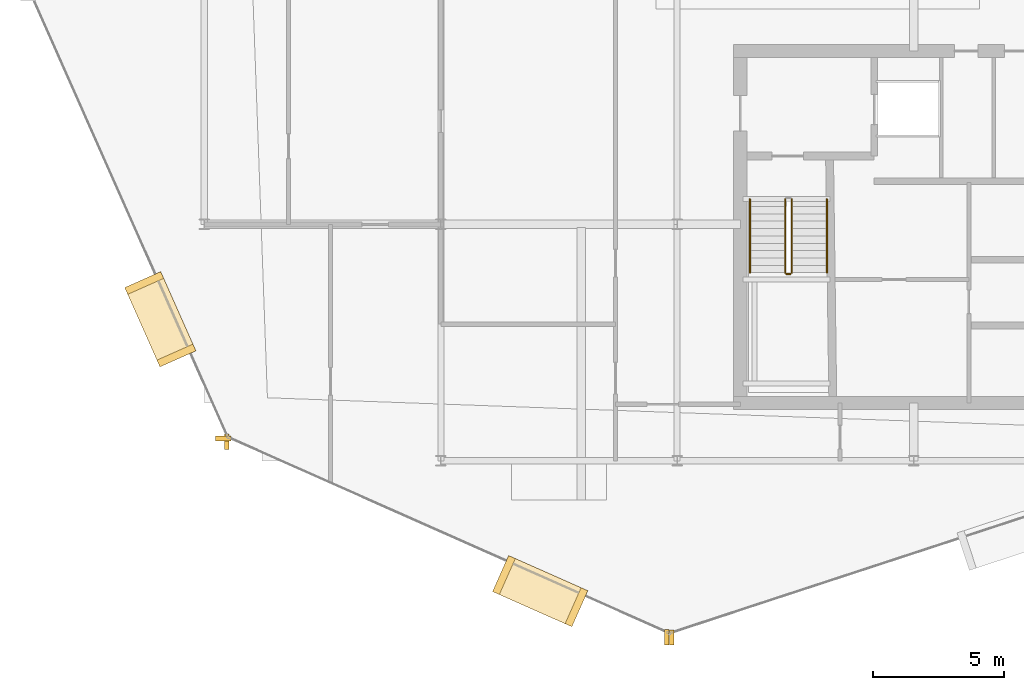
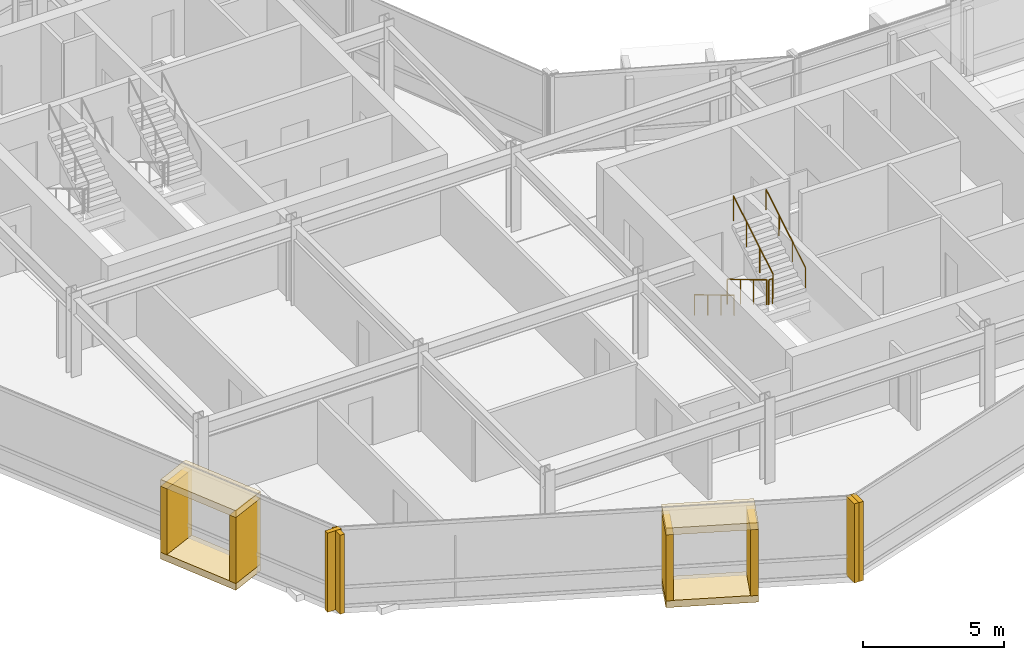
# One storey, part 23 of 28: 12 coverings, 5 railings.
"""IFC4 building model written with IfcOpenShell, lengths in metres."""

from ifc_helpers import new_model, si_unit, direction, frame, origin, origin_2d, place, context, subcontext, project, spatial, rectangle, circle, extrude, material, layer, layer_set, type_object, element, save


model = new_model("IFC4")

# Units and contexts
model_context = context("Model", 3, precision=1e-05, world=origin(), true_north=direction((0.0, 1.0)))
body_context = subcontext(model_context, "Body", "Model", "MODEL_VIEW")
ifc_project = project(units=[si_unit("LENGTHUNIT", "METRE"), si_unit("AREAUNIT", "SQUARE_METRE"), si_unit("VOLUMEUNIT", "CUBIC_METRE"), si_unit("PLANEANGLEUNIT", "RADIAN"), si_unit("MASSUNIT", "GRAM", prefix="KILO")], contexts=[model_context])

# Site, building, storey
site_placement = place(None, origin())
site = spatial("IfcSite", under=ifc_project, at=site_placement, CompositionType="ELEMENT")
building_placement = place(site_placement, origin())
building = spatial("IfcBuilding", under=site, at=building_placement, Name="Solvaryn Broadcast Tower", CompositionType="ELEMENT")
storey_placement = place(building_placement, frame((0.0, 0.0, 206.199951171875)))
storey = spatial("IfcBuildingStorey", under=building, at=storey_placement, Name="L51", CompositionType="ELEMENT", Elevation=206.199951171875)

# Coverings
ifc_material_1 = material(Name="Glazed Architectural Terracotta Rainscreen Cladding", Category="masonry")
ifc_layer_1 = layer(ifc_material_1, 0.280029296875)
ifc_layer_set_1 = layer_set([ifc_layer_1], Name="CV-TC-CLAD")
covering_type_1 = type_object("IfcCoveringType", Name="CV-TC-CLAD", PredefinedType="CLADDING", material=ifc_layer_set_1)
for number, where, z_axis, x_axis, name in (
    (1, (7.322998046875, 14.388916015625, 3.1298828125), (0.0, 0.0, 1.0), (0.405939269498, -0.913900054426, 0.0), "L51 Projecting Stone Window Box Hood 2"),
    (2, (7.322998046875, 14.388916015625, -0.009765625), (0.0, 0.0, 1.0), (0.405939269498, -0.913900054426, 0.0), "L51 Projecting Stone Window Box Sill 2"),
):
    element("IfcCovering", number, at=place(storey_placement, frame(where, z_axis=z_axis, x_axis=x_axis)), inside=storey, type_object=covering_type_1, Name=name, PredefinedType="CLADDING", context=body_context, shape_type="SweptSolid", body=[
        extrude(rectangle(XDim=3.300048828125, YDim=1.5, at=origin_2d()), origin(), (0.0, 0.0, 1.0), 0.300048828125),
    ])
for number, where, z_axis, x_axis, name in (
    (3, (6.7099609375, 15.76904296875, 0.27978515625), (0.0, 0.0, 1.0), (0.405939269498, -0.913900054426, 0.0), "L51 Projecting Stone Window Box Cheek 2-1"),
    (4, (7.93603515625, 13.009033203125, 0.27978515625), (0.0, 0.0, 1.0), (0.405939269498, -0.913900054426, 0.0), "L51 Projecting Stone Window Box Cheek 2-2"),
):
    element("IfcCovering", number, at=place(storey_placement, frame(where, z_axis=z_axis, x_axis=x_axis)), inside=storey, type_object=covering_type_1, Name=name, PredefinedType="CLADDING", context=body_context, shape_type="SweptSolid", body=[
        extrude(rectangle(XDim=0.280029296875, YDim=1.5, at=origin_2d()), origin(), (0.0, 0.0, 1.0), 2.860107421875),
    ])
for number, where, z_axis, x_axis, name in (
    (5, (21.784912109375, 4.0390625, 3.1298828125), (0.0, 0.0, 1.0), (0.913900054426, -0.405939269498, 0.0), "L51 Projecting Stone Window Box Hood 3"),
    (6, (21.784912109375, 4.0390625, -0.009765625), (0.0, 0.0, 1.0), (0.913900054426, -0.405939269498, 0.0), "L51 Projecting Stone Window Box Sill 3"),
):
    element("IfcCovering", number, at=place(storey_placement, frame(where, z_axis=z_axis, x_axis=x_axis)), inside=storey, type_object=covering_type_1, Name=name, PredefinedType="CLADDING", context=body_context, shape_type="SweptSolid", body=[
        extrude(rectangle(XDim=3.300048828125, YDim=1.5, at=origin_2d()), origin(), (0.0, 0.0, 1.0), 0.300048828125),
    ])
for number, where, z_axis, x_axis, name in (
    (7, (20.405029296875, 4.652099609375, 0.27978515625), (0.0, 0.0, 1.0), (0.913900054426, -0.405939269498, 0.0), "L51 Projecting Stone Window Box Cheek 3-1"),
    (8, (23.1650390625, 3.426025390625, 0.27978515625), (0.0, 0.0, 1.0), (0.913900054426, -0.405939269498, 0.0), "L51 Projecting Stone Window Box Cheek 3-2"),
):
    element("IfcCovering", number, at=place(storey_placement, frame(where, z_axis=z_axis, x_axis=x_axis)), inside=storey, type_object=covering_type_1, Name=name, PredefinedType="CLADDING", context=body_context, shape_type="SweptSolid", body=[
        extrude(rectangle(XDim=0.280029296875, YDim=1.5, at=origin_2d()), origin(), (0.0, 0.0, 1.0), 2.860107421875),
    ])
ifc_material_2 = material(Name="Extruded Architectural Terracotta Fin", Category="masonry")
ifc_layer_2 = layer(ifc_material_2, 0.179931640625)
ifc_layer_set_2 = layer_set([ifc_layer_2], Name="CV-TC-FIN")
covering_type_2 = type_object("IfcCoveringType", Name="CV-TC-FIN", PredefinedType="USERDEFINED", material=ifc_layer_set_2)
covering_placement = place(storey_placement, frame((9.7216796875, 9.852783203125, 0.0), z_axis=(0.0, 0.0, 1.0), x_axis=(1.0, 0.0, 0.0)))
element("IfcCovering", 9, at=covering_placement, inside=storey, type_object=covering_type_2, Name="L51 Terracotta Vertical Fin FIN-L51-DR2-M01", ObjectType="FIN", PredefinedType="USERDEFINED", context=body_context, shape_type="SweptSolid", body=[
    extrude(rectangle(XDim=0.580078125, YDim=0.179931640625, at=origin_2d()), origin(), (0.0, 0.0, 1.0), 3.419921875),
])
for number, where, z_axis, x_axis, name in (
    (10, (9.852783203125, 9.7216796875, 0.0), (0.0, 0.0, 1.0), (1.0, 0.0, 0.0), "L51 Terracotta Vertical Fin FIN-L51-DR3-M00"),
    (11, (26.605712890625, 2.281005859375, 0.0), (0.0, 0.0, 1.0), (1.0, 0.0, 0.0), "L51 Terracotta Vertical Fin FIN-L51-DR3-M01"),
    (12, (26.790771484375, 2.271240234375, 0.0), (0.0, 0.0, 1.0), (1.0, 0.0, 0.0), "L51 Terracotta Vertical Fin FIN-L51-DR4-M00"),
):
    element("IfcCovering", number, at=place(storey_placement, frame(where, z_axis=z_axis, x_axis=x_axis)), inside=storey, type_object=covering_type_2, Name=name, ObjectType="FIN", PredefinedType="USERDEFINED", context=body_context, shape_type="SweptSolid", body=[
        extrude(rectangle(XDim=0.179931640625, YDim=0.580078125, at=origin_2d()), origin(), (0.0, 0.0, 1.0), 3.419921875),
    ])

# Railings
ifc_material_3 = material(Name="Painted Steel Stair Well Guard", Category="steel")
railing_type_1 = type_object("IfcRailingType", Name="RL-STAIR-GUARD", PredefinedType="BALUSTRADE", material=ifc_material_3)
railing_1_placement = place(storey_placement, frame((31.110107421875, 18.9599609375, 0.168212890625)))
element("IfcRailing", 13, at=railing_1_placement, inside=storey, type_object=railing_type_1, Name="L51 ST3 stair guard 1", PredefinedType="BALUSTRADE", context=body_context, shape_type="SweptSolid", body=[
    extrude(circle(Radius=0.02392578125, at=origin_2d()), frame((0.0, 0.0, 1.076171875), z_axis=(0.0, -0.857242210791, 0.514913383045), x_axis=(1.0, 0.0, 0.0)), (0.0, 0.0, 1.0), 3.266357421875),
    extrude(circle(Radius=0.02099609375, at=origin_2d()), origin(), (0.0, 0.0, 1.0), 1.052001953125),
    extrude(circle(Radius=0.02099609375, at=origin_2d()), frame((0.0, -0.933349609375, 0.560546875)), (0.0, 0.0, 1.0), 1.052001953125),
    extrude(circle(Radius=0.02099609375, at=origin_2d()), frame((0.0, -1.86669921875, 1.121337890625)), (0.0, 0.0, 1.0), 1.052001953125),
    extrude(circle(Radius=0.02099609375, at=origin_2d()), frame((0.0, -2.800048828125, 1.681884765625)), (0.0, 0.0, 1.0), 1.052001953125),
])
railing_2_placement = place(storey_placement, frame((31.159912109375, 16.110107421875, 1.85009765625)))
element("IfcRailing", 14, at=railing_2_placement, inside=storey, type_object=railing_type_1, Name="L51 ST3 stair guard 2", PredefinedType="BALUSTRADE", context=body_context, shape_type="SweptSolid", body=[
    extrude(circle(Radius=0.02392578125, at=origin_2d()), frame((0.0, 0.0, 1.076171875), z_axis=(1.0, 0.0, 0.0), x_axis=(0.0, 1.0, 0.0)), (0.0, 0.0, 1.0), 0.150146484375),
    extrude(circle(Radius=0.02099609375, at=origin_2d()), origin(), (0.0, 0.0, 1.0), 1.052001953125),
    extrude(circle(Radius=0.02099609375, at=origin_2d()), frame((0.150146484375, 0.0, 0.0)), (0.0, 0.0, 1.0), 1.052001953125),
])
railing_3_placement = place(storey_placement, frame((31.360107421875, 16.159912109375, 2.018310546875)))
element("IfcRailing", 15, at=railing_3_placement, inside=storey, type_object=railing_type_1, Name="L51 ST3 stair guard 3", PredefinedType="BALUSTRADE", context=body_context, shape_type="SweptSolid", body=[
    extrude(circle(Radius=0.02392578125, at=origin_2d()), frame((0.0, 0.0, 1.076171875), z_axis=(0.0, 0.857275202839, 0.514858452973), x_axis=(-1.0, 0.0, 0.0)), (0.0, 0.0, 1.0), 3.26611328125),
    extrude(circle(Radius=0.02099609375, at=origin_2d()), origin(), (0.0, 0.0, 1.0), 1.052001953125),
    extrude(circle(Radius=0.02099609375, at=origin_2d()), frame((0.0, 0.933349609375, 0.560546875)), (0.0, 0.0, 1.0), 1.052001953125),
    extrude(circle(Radius=0.02099609375, at=origin_2d()), frame((0.0, 1.86669921875, 1.12109375)), (0.0, 0.0, 1.0), 1.052001953125),
    extrude(circle(Radius=0.02099609375, at=origin_2d()), frame((0.0, 2.800048828125, 1.681640625)), (0.0, 0.0, 1.0), 1.052001953125),
])
ifc_material_4 = material(Name="Brushed Stainless Steel Tubular Handrail", Category="steel")
railing_type_2 = type_object("IfcRailingType", Name="RL-STAIR-HANDRAIL", PredefinedType="HANDRAIL", material=ifc_material_4)
railing_4_placement = place(storey_placement, frame((29.77001953125, 18.9599609375, 0.168212890625)))
element("IfcRailing", 16, at=railing_4_placement, inside=storey, type_object=railing_type_2, Name="L51 ST3 stair handrail 1", PredefinedType="HANDRAIL", context=body_context, shape_type="SweptSolid", body=[
    extrude(circle(Radius=0.02392578125, at=origin_2d()), frame((0.0, 0.0, 0.8759765625), z_axis=(0.0, -0.857242210791, 0.514913383045), x_axis=(1.0, 0.0, 0.0)), (0.0, 0.0, 1.0), 3.266357421875),
    extrude(circle(Radius=0.02099609375, at=origin_2d()), origin(), (0.0, 0.0, 1.0), 0.851806640625),
    extrude(circle(Radius=0.02099609375, at=origin_2d()), frame((0.0, -0.933349609375, 0.560546875)), (0.0, 0.0, 1.0), 0.851806640625),
    extrude(circle(Radius=0.02099609375, at=origin_2d()), frame((0.0, -1.86669921875, 1.121337890625)), (0.0, 0.0, 1.0), 0.851806640625),
    extrude(circle(Radius=0.02099609375, at=origin_2d()), frame((0.0, -2.800048828125, 1.681884765625)), (0.0, 0.0, 1.0), 0.851806640625),
])
railing_5_placement = place(storey_placement, frame((32.699951171875, 16.159912109375, 2.018310546875)))
element("IfcRailing", 17, at=railing_5_placement, inside=storey, type_object=railing_type_2, Name="L51 ST3 stair handrail 2", PredefinedType="HANDRAIL", context=body_context, shape_type="SweptSolid", body=[
    extrude(circle(Radius=0.02392578125, at=origin_2d()), frame((0.0, 0.0, 0.8759765625), z_axis=(0.0, 0.857275202839, 0.514858452973), x_axis=(-1.0, 0.0, 0.0)), (0.0, 0.0, 1.0), 3.26611328125),
    extrude(circle(Radius=0.02099609375, at=origin_2d()), origin(), (0.0, 0.0, 1.0), 0.851806640625),
    extrude(circle(Radius=0.02099609375, at=origin_2d()), frame((0.0, 0.933349609375, 0.560546875)), (0.0, 0.0, 1.0), 0.851806640625),
    extrude(circle(Radius=0.02099609375, at=origin_2d()), frame((0.0, 1.86669921875, 1.12109375)), (0.0, 0.0, 1.0), 0.851806640625),
    extrude(circle(Radius=0.02099609375, at=origin_2d()), frame((0.0, 2.800048828125, 1.681640625)), (0.0, 0.0, 1.0), 0.851806640625),
])

save(model, "model.ifc")
